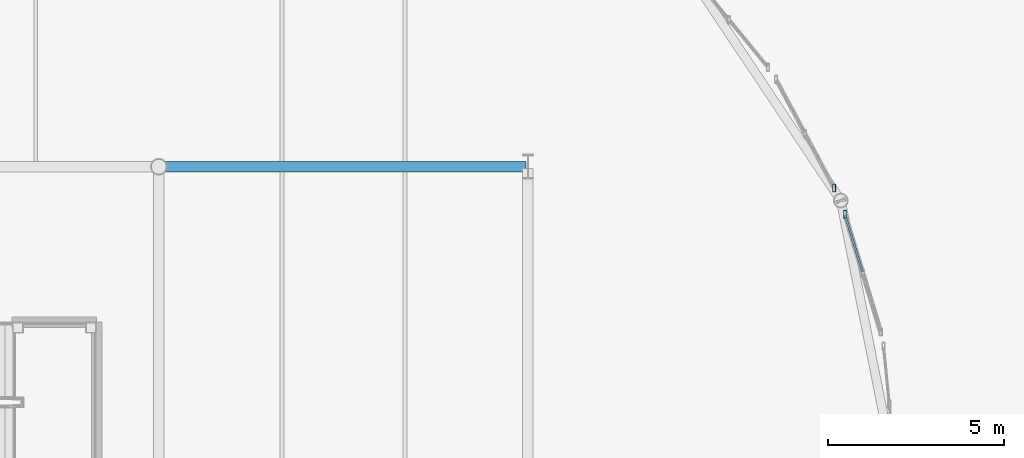
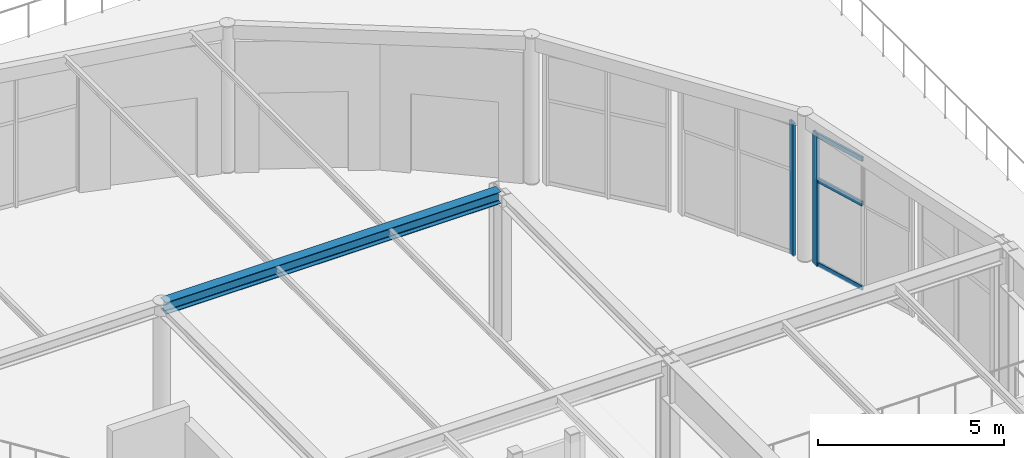
# One storey, part 46 of 143: 5 members, 1 beam, 2 elements without a shape of their own.
"""IFC4 building model written with IfcOpenShell, lengths in metres."""

from ifc_helpers import new_model, si_unit, direction, frame, origin, origin_2d, place, context, subcontext, project, spatial, hollow_rectangle, i_section, extrude, material, layer, layer_set, material_profile, profile_set, type_object, element, aggregate, save


model = new_model("IFC4")

# Units and contexts
model_context = context("Model", 3, precision=1e-05, world=origin(), true_north=direction((0.0, 1.0)))
body_context = subcontext(model_context, "Body", "Model", "MODEL_VIEW")
ifc_project = project(units=[si_unit("LENGTHUNIT", "METRE"), si_unit("AREAUNIT", "SQUARE_METRE"), si_unit("VOLUMEUNIT", "CUBIC_METRE"), si_unit("PLANEANGLEUNIT", "RADIAN"), si_unit("MASSUNIT", "GRAM", prefix="KILO")], contexts=[model_context])

# Site, building, storey
site_placement = place(None, origin())
site = spatial("IfcSite", under=ifc_project, at=site_placement, CompositionType="ELEMENT")
building_placement = place(site_placement, origin())
building = spatial("IfcBuilding", under=site, at=building_placement, Name="Marlcrest Central Station", CompositionType="ELEMENT")
storey_placement = place(building_placement, frame((0.0, 0.0, 4.800048828125)))
storey = spatial("IfcBuildingStorey", under=building, at=storey_placement, Name="L01", CompositionType="ELEMENT", Elevation=4.800048828125)

# Beam
ifc_material_1 = material(Name="Steel S355", Category="steel")
ifc_material_profile_1 = material_profile(ifc_material_1, i_section(OverallWidth=0.300048828125, OverallDepth=0.389892578125, WebThickness=0.010986328125, FlangeThickness=0.01904296875, FilletRadius=0.027099609375, at=origin_2d()), Name="HEA 400")
ifc_profile_set_1 = profile_set([ifc_material_profile_1], Name="Steel S355")
beam_type = type_object("IfcBeamType", Name="BM-08", PredefinedType="BEAM", material=ifc_profile_set_1)
beam_placement = place(storey_placement, frame((108.050048828125, 119.5, 4.619873046875), z_axis=(1.0, 0.0, 0.0), x_axis=(0.0, 1.0, 0.0)))
element("IfcBeam", 1, at=beam_placement, inside=storey, type_object=beam_type, Name="bm-BM-08-L01-01467", PredefinedType="BEAM", context=body_context, shape_type="SweptSolid", body=[
    extrude(i_section(OverallWidth=0.300048828125, OverallDepth=0.389892578125, WebThickness=0.010986328125, FlangeThickness=0.01904296875, FilletRadius=0.027099609375, at=origin_2d()), origin(), (0.0, 0.0, 1.0), 10.39990234375),
])

# Curtain wall, member
ifc_material_2 = material(Name="Anodised aluminium and hurricane laminated glass", Category="aluminium")
ifc_layer = layer(ifc_material_2, 0.219970703125, Name="CW-U1")
ifc_layer_set = layer_set([ifc_layer], Name="Anodised aluminium and hurricane laminated glass")
curtain_wall_type = type_object("IfcCurtainWallType", Name="CW-U1", PredefinedType="USERDEFINED", material=ifc_layer_set)
curtain_wall_1_placement = place(storey_placement, origin())
curtain_wall_1 = element("IfcCurtainWall", 2, at=curtain_wall_1_placement, inside=storey, type_object=curtain_wall_type, Name="cw-L01-0064", ObjectType="UNITISED_CURTAIN_WALL", PredefinedType="USERDEFINED")
ifc_material_3 = material(Name="Anodised aluminium 6063-T6", Category="aluminium")
ifc_material_profile_2 = material_profile(ifc_material_3, hollow_rectangle(XDim=0.080078125, YDim=0.219970703125, WallThickness=0.006103515625, at=origin_2d()), Name="AA-RHS 220x80x6")
ifc_profile_set_2 = profile_set([ifc_material_profile_2], Name="Anodised aluminium 6063-T6")
member_type_1 = type_object("IfcMemberType", Name="ML-01", PredefinedType="MULLION", material=ifc_profile_set_2)
member_1_placement = place(storey_placement, frame((127.210693359375, 118.892333984375, -0.030029296875), z_axis=(0.0, 0.0, 1.0), x_axis=(1.0, 0.0, 0.0)))
member_1 = element("IfcMember", 3, at=member_1_placement, type_object=member_type_1, Name="cw-L01-0064-ml-2", PredefinedType="MULLION", context=body_context, shape_type="SweptSolid", body=[
    extrude(hollow_rectangle(XDim=0.080078125, YDim=0.219970703125, WallThickness=0.006103515625, at=origin_2d()), origin(), (0.0, 0.0, 1.0), 4.35986328125),
])
aggregate(curtain_wall_1, [member_1])

# Curtain wall, members
curtain_wall_2_placement = place(storey_placement, origin())
curtain_wall_2 = element("IfcCurtainWall", 4, at=curtain_wall_2_placement, inside=storey, type_object=curtain_wall_type, Name="cw-L01-0065", ObjectType="UNITISED_CURTAIN_WALL", PredefinedType="USERDEFINED")
member_2_placement = place(storey_placement, frame((127.518310546875, 118.1494140625, -0.030029296875), z_axis=(0.0, 0.0, 1.0), x_axis=(1.0, 0.0, 0.0)))
member_2 = element("IfcMember", 5, at=member_2_placement, type_object=member_type_1, Name="cw-L01-0065-ml-0", PredefinedType="MULLION", context=body_context, shape_type="SweptSolid", body=[
    extrude(hollow_rectangle(XDim=0.080078125, YDim=0.219970703125, WallThickness=0.006103515625, at=origin_2d()), origin(), (0.0, 0.0, 1.0), 4.35986328125),
])
ifc_material_profile_3 = material_profile(ifc_material_3, hollow_rectangle(XDim=0.06005859375, YDim=0.14990234375, WallThickness=0.00390625, at=origin_2d()), Name="AA-RHS 150x60x4")
ifc_profile_set_3 = profile_set([ifc_material_profile_3], Name="Anodised aluminium 6063-T6")
member_type_2 = type_object("IfcMemberType", Name="TR-01", PredefinedType="USERDEFINED", material=ifc_profile_set_3)
member_3_placement = place(storey_placement, frame((127.529296875, 118.113037109375, 0.0400390625), z_axis=(0.29025787087, -0.95694846695, 0.0), x_axis=(0.95694846695, 0.29025787087, 0.0)))
member_3 = element("IfcMember", 6, at=member_3_placement, type_object=member_type_2, Name="cw-L01-0065-tr-0-sill", ObjectType="TRANSOM", PredefinedType="USERDEFINED", context=body_context, shape_type="SweptSolid", body=[
    extrude(hollow_rectangle(XDim=0.06005859375, YDim=0.14990234375, WallThickness=0.00390625, at=origin_2d()), origin(), (0.0, 0.0, 1.0), 1.67724609375),
])
member_4_placement = place(storey_placement, frame((127.529296875, 118.113037109375, 2.794921875), z_axis=(0.29025787087, -0.95694846695, 0.0), x_axis=(0.95694846695, 0.29025787087, 0.0)))
member_4 = element("IfcMember", 7, at=member_4_placement, type_object=member_type_2, Name="cw-L01-0065-tr-0-mid", ObjectType="TRANSOM", PredefinedType="USERDEFINED", context=body_context, shape_type="SweptSolid", body=[
    extrude(hollow_rectangle(XDim=0.06005859375, YDim=0.14990234375, WallThickness=0.00390625, at=origin_2d()), origin(), (0.0, 0.0, 1.0), 1.67724609375),
])
member_5_placement = place(storey_placement, frame((127.529296875, 118.113037109375, 4.260009765625), z_axis=(0.29025787087, -0.95694846695, 0.0), x_axis=(0.95694846695, 0.29025787087, 0.0)))
member_5 = element("IfcMember", 8, at=member_5_placement, type_object=member_type_2, Name="cw-L01-0065-tr-0-head", ObjectType="TRANSOM", PredefinedType="USERDEFINED", context=body_context, shape_type="SweptSolid", body=[
    extrude(hollow_rectangle(XDim=0.06005859375, YDim=0.14990234375, WallThickness=0.00390625, at=origin_2d()), origin(), (0.0, 0.0, 1.0), 1.67724609375),
])
aggregate(curtain_wall_2, [member_2, member_3, member_4, member_5])

save(model, "model.ifc")
